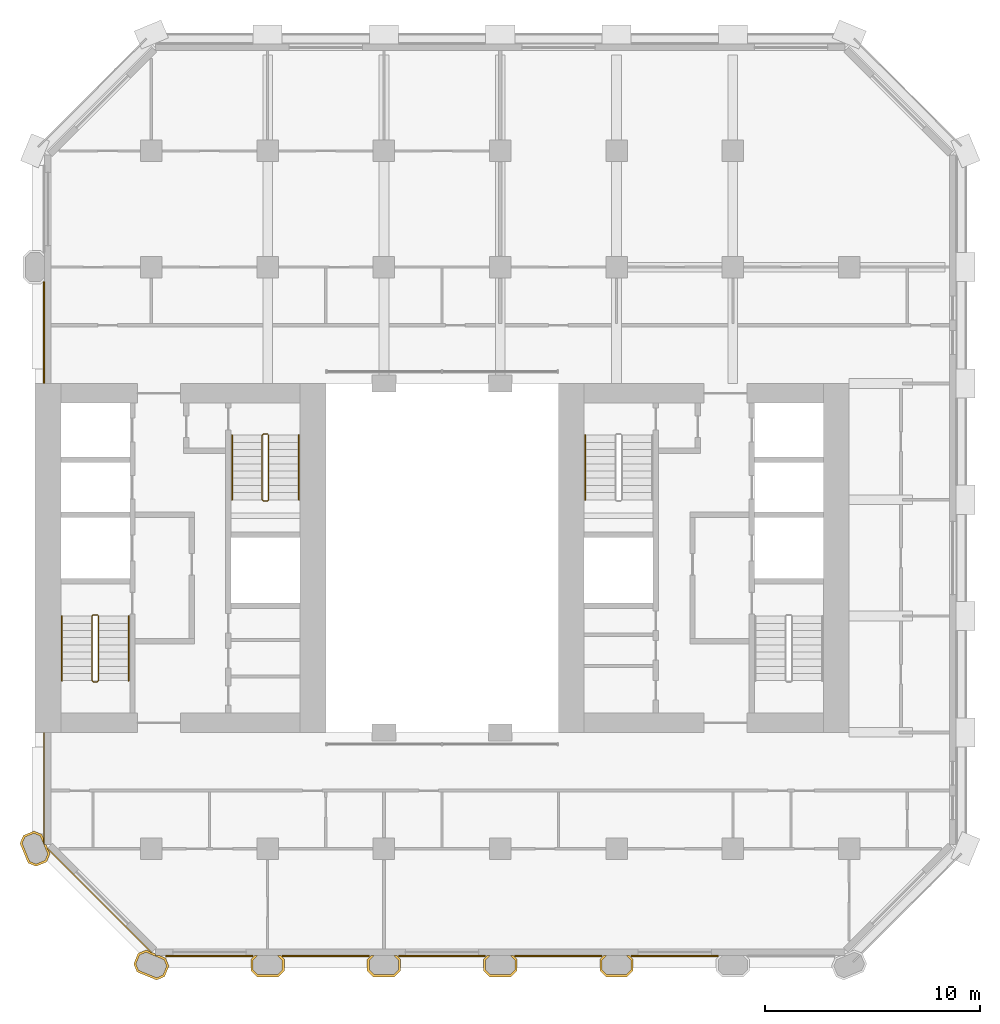
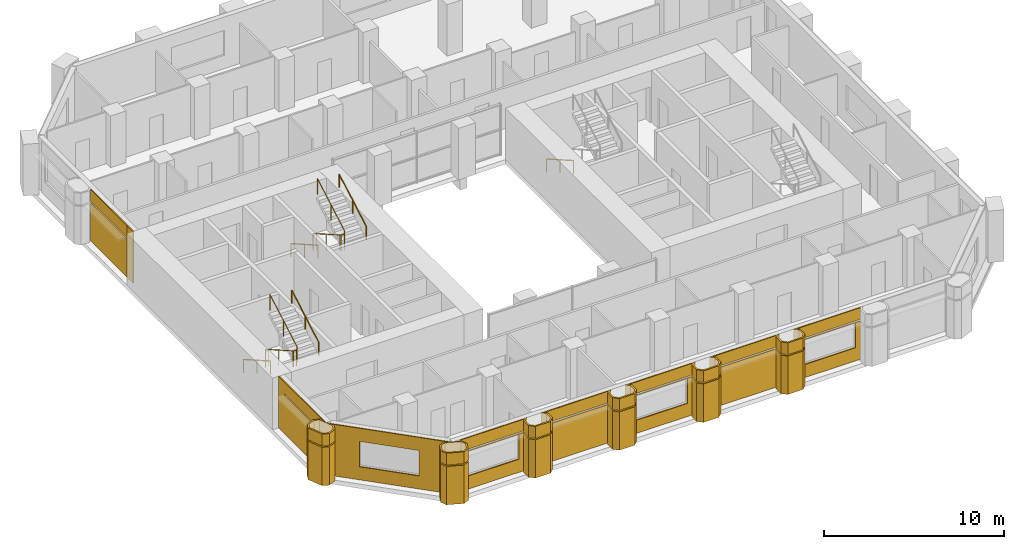
# One storey, part 8 of 10: 27 coverings, 7 railings.
"""IFC4 building model written with IfcOpenShell, lengths in metres."""

from ifc_helpers import new_model, si_unit, direction, frame, frame_2d, origin, origin_2d, place, context, subcontext, project, spatial, polyline, rectangle, circle, outline, extrude, material, layer, layer_set, type_object, element, save


model = new_model("IFC4")

# Units and contexts
model_context = context("Model", 3, precision=1e-05, world=origin(), true_north=direction((0.0, 1.0)))
body_context = subcontext(model_context, "Body", "Model", "MODEL_VIEW")
ifc_project = project(units=[si_unit("LENGTHUNIT", "METRE"), si_unit("AREAUNIT", "SQUARE_METRE"), si_unit("VOLUMEUNIT", "CUBIC_METRE"), si_unit("PLANEANGLEUNIT", "RADIAN"), si_unit("MASSUNIT", "GRAM", prefix="KILO")], contexts=[model_context])

# Site, building, storey
site_placement = place(None, origin())
site = spatial("IfcSite", under=ifc_project, at=site_placement, CompositionType="ELEMENT")
building_placement = place(site_placement, origin())
building = spatial("IfcBuilding", under=site, at=building_placement, Name="Tabaq Tower and Sports Hall", CompositionType="ELEMENT")
storey_placement = place(building_placement, frame((0.0, 0.0, 87.800048828125)))
storey = spatial("IfcBuildingStorey", under=building, at=storey_placement, Name="L20", CompositionType="ELEMENT", Elevation=87.800048828125)

# Coverings
ifc_material_1 = material(Name="Precast concrete C60/75", Category="concrete")
ifc_layer_1 = layer(ifc_material_1, 0.10009765625)
ifc_layer_set_1 = layer_set([ifc_layer_1], Name="Column cladding 100")
covering_type_1 = type_object("IfcCoveringType", Name="Column cladding 100", PredefinedType="CLADDING", material=ifc_layer_set_1)
covering_1_placement = place(storey_placement, origin())
element("IfcCovering", 1, at=covering_1_placement, inside=storey, type_object=covering_type_1, Name="Column cladding L20 PC-2C-O2", PredefinedType="CLADDING", context=body_context, shape_type="SweptSolid", body=[
    extrude(outline(polyline([(5.450439453125, 9.982421875), (5.080078125, 10.1357421875), (4.7041015625, 11.04345703125), (4.857421875, 11.413818359375), (5.349609375, 11.61767578125), (5.7197265625, 11.46435546875), (5.789794921875, 11.295654296875), (5.789794921875, 11.04296875), (5.849609375, 11.04296875), (5.849609375, 10.986083984375), (5.91796875, 10.986083984375), (5.9814453125, 10.83251953125), (5.9501953125, 10.801025390625), (6.026123046875, 10.72509765625), (6.095947265625, 10.556396484375), (5.9423828125, 10.186279296875), (5.450439453125, 9.982421875)]), holes=[polyline([(5.349609375, 11.510009765625), (4.93359375, 11.337646484375), (4.811767578125, 11.04345703125), (5.15625, 10.2119140625), (5.450439453125, 10.08984375), (5.866455078125, 10.26220703125), (5.98828125, 10.556396484375), (5.643798828125, 11.38818359375), (5.349609375, 11.510009765625)])]), origin(), (0.0, 0.0, 1.0), 2.599853515625),
])
covering_2_placement = place(storey_placement, frame((0.0, 0.0, 2.699951171875)))
element("IfcCovering", 2, at=covering_2_placement, inside=storey, type_object=covering_type_1, Name="Column cladding L20 PC-2C-O2 2", PredefinedType="CLADDING", context=body_context, shape_type="SweptSolid", body=[
    extrude(outline(polyline([(5.450439453125, 9.982421875), (5.080078125, 10.1357421875), (4.7041015625, 11.04345703125), (4.857421875, 11.413818359375), (5.349609375, 11.61767578125), (5.7197265625, 11.46435546875), (5.789794921875, 11.295654296875), (5.789794921875, 11.04296875), (5.849609375, 11.04296875), (5.849609375, 10.986083984375), (5.91796875, 10.986083984375), (5.9814453125, 10.83251953125), (5.9501953125, 10.801025390625), (6.026123046875, 10.72509765625), (6.095947265625, 10.556396484375), (5.9423828125, 10.186279296875), (5.450439453125, 9.982421875)]), holes=[polyline([(5.349609375, 11.510009765625), (4.93359375, 11.337646484375), (4.811767578125, 11.04345703125), (5.15625, 10.2119140625), (5.450439453125, 10.08984375), (5.866455078125, 10.26220703125), (5.98828125, 10.556396484375), (5.643798828125, 11.38818359375), (5.349609375, 11.510009765625)])]), origin(), (0.0, 0.0, 1.0), 0.800048828125),
])
covering_3_placement = place(storey_placement, origin())
element("IfcCovering", 3, at=covering_3_placement, inside=storey, type_object=covering_type_1, Name="Column cladding L20 PC-3B-O2", PredefinedType="CLADDING", context=body_context, shape_type="SweptSolid", body=[
    extrude(outline(polyline([(11.413818359375, 4.857421875), (11.04345703125, 4.7041015625), (10.1357421875, 5.080078125), (9.982421875, 5.450439453125), (10.186279296875, 5.9423828125), (10.556396484375, 6.095947265625), (10.72509765625, 6.026123046875), (10.801025390625, 5.9501953125), (10.83251953125, 5.9814453125), (10.986083984375, 5.91796875), (10.986083984375, 5.849609375), (11.15087890625, 5.849609375), (11.46435546875, 5.7197265625), (11.61767578125, 5.349609375), (11.413818359375, 4.857421875)]), holes=[polyline([(10.26220703125, 5.866455078125), (10.08984375, 5.450439453125), (10.2119140625, 5.15625), (11.04345703125, 4.811767578125), (11.337646484375, 4.93359375), (11.510009765625, 5.349609375), (11.38818359375, 5.643798828125), (10.556396484375, 5.98828125), (10.26220703125, 5.866455078125)])]), origin(), (0.0, 0.0, 1.0), 2.599853515625),
])
covering_4_placement = place(storey_placement, frame((0.0, 0.0, 2.699951171875)))
element("IfcCovering", 4, at=covering_4_placement, inside=storey, type_object=covering_type_1, Name="Column cladding L20 PC-3B-O2 2", PredefinedType="CLADDING", context=body_context, shape_type="SweptSolid", body=[
    extrude(outline(polyline([(11.413818359375, 4.857421875), (11.04345703125, 4.7041015625), (10.1357421875, 5.080078125), (9.982421875, 5.450439453125), (10.186279296875, 5.9423828125), (10.556396484375, 6.095947265625), (10.72509765625, 6.026123046875), (10.801025390625, 5.9501953125), (10.83251953125, 5.9814453125), (10.986083984375, 5.91796875), (10.986083984375, 5.849609375), (11.15087890625, 5.849609375), (11.46435546875, 5.7197265625), (11.61767578125, 5.349609375), (11.413818359375, 4.857421875)]), holes=[polyline([(10.26220703125, 5.866455078125), (10.08984375, 5.450439453125), (10.2119140625, 5.15625), (11.04345703125, 4.811767578125), (11.337646484375, 4.93359375), (11.510009765625, 5.349609375), (11.38818359375, 5.643798828125), (10.556396484375, 5.98828125), (10.26220703125, 5.866455078125)])]), origin(), (0.0, 0.0, 1.0), 0.800048828125),
])
covering_5_placement = place(storey_placement, origin())
element("IfcCovering", 5, at=covering_5_placement, inside=storey, type_object=covering_type_1, Name="Column cladding L20 PC-4B-O2", PredefinedType="CLADDING", context=body_context, shape_type="SweptSolid", body=[
    extrude(outline(polyline([(15.42529296875, 5.666259765625), (15.608642578125, 5.849609375), (15.749267578125, 5.849609375), (15.524658203125, 5.625244140625), (15.524658203125, 5.1748046875), (15.749755859375, 4.94970703125), (16.650146484375, 4.94970703125), (16.875244140625, 5.1748046875), (16.875244140625, 5.625244140625), (16.650634765625, 5.849609375), (16.791259765625, 5.849609375), (16.974609375, 5.666259765625), (16.974609375, 5.1337890625), (16.69140625, 4.850341796875), (15.708740234375, 4.850341796875), (15.42529296875, 5.1337890625), (15.42529296875, 5.666259765625)])), origin(), (0.0, 0.0, 1.0), 2.599853515625),
])
covering_6_placement = place(storey_placement, frame((0.0, 0.0, 2.699951171875)))
element("IfcCovering", 6, at=covering_6_placement, inside=storey, type_object=covering_type_1, Name="Column cladding L20 PC-4B-O2 2", PredefinedType="CLADDING", context=body_context, shape_type="SweptSolid", body=[
    extrude(outline(polyline([(15.42529296875, 5.666259765625), (15.608642578125, 5.849609375), (15.749267578125, 5.849609375), (15.524658203125, 5.625244140625), (15.524658203125, 5.1748046875), (15.749755859375, 4.94970703125), (16.650146484375, 4.94970703125), (16.875244140625, 5.1748046875), (16.875244140625, 5.625244140625), (16.650634765625, 5.849609375), (16.791259765625, 5.849609375), (16.974609375, 5.666259765625), (16.974609375, 5.1337890625), (16.69140625, 4.850341796875), (15.708740234375, 4.850341796875), (15.42529296875, 5.1337890625), (15.42529296875, 5.666259765625)])), origin(), (0.0, 0.0, 1.0), 0.800048828125),
])
covering_7_placement = place(storey_placement, origin())
element("IfcCovering", 7, at=covering_7_placement, inside=storey, type_object=covering_type_1, Name="Column cladding L20 PC-5B-O2", PredefinedType="CLADDING", context=body_context, shape_type="SweptSolid", body=[
    extrude(outline(polyline([(20.8251953125, 5.666259765625), (21.0087890625, 5.849609375), (21.149169921875, 5.849609375), (20.9248046875, 5.625244140625), (20.9248046875, 5.1748046875), (21.14990234375, 4.94970703125), (22.050048828125, 4.94970703125), (22.275390625, 5.1748046875), (22.275390625, 5.625244140625), (22.05078125, 5.849609375), (22.19140625, 5.849609375), (22.374755859375, 5.666259765625), (22.374755859375, 5.1337890625), (22.09130859375, 4.850341796875), (21.108642578125, 4.850341796875), (20.8251953125, 5.1337890625), (20.8251953125, 5.666259765625)])), origin(), (0.0, 0.0, 1.0), 2.599853515625),
])
covering_8_placement = place(storey_placement, frame((0.0, 0.0, 2.699951171875)))
element("IfcCovering", 8, at=covering_8_placement, inside=storey, type_object=covering_type_1, Name="Column cladding L20 PC-5B-O2 2", PredefinedType="CLADDING", context=body_context, shape_type="SweptSolid", body=[
    extrude(outline(polyline([(20.8251953125, 5.666259765625), (21.0087890625, 5.849609375), (21.149169921875, 5.849609375), (20.9248046875, 5.625244140625), (20.9248046875, 5.1748046875), (21.14990234375, 4.94970703125), (22.050048828125, 4.94970703125), (22.275390625, 5.1748046875), (22.275390625, 5.625244140625), (22.05078125, 5.849609375), (22.19140625, 5.849609375), (22.374755859375, 5.666259765625), (22.374755859375, 5.1337890625), (22.09130859375, 4.850341796875), (21.108642578125, 4.850341796875), (20.8251953125, 5.1337890625), (20.8251953125, 5.666259765625)])), origin(), (0.0, 0.0, 1.0), 0.800048828125),
])
covering_9_placement = place(storey_placement, origin())
element("IfcCovering", 9, at=covering_9_placement, inside=storey, type_object=covering_type_1, Name="Column cladding L20 PC-6B-O2", PredefinedType="CLADDING", context=body_context, shape_type="SweptSolid", body=[
    extrude(outline(polyline([(26.225341796875, 5.666259765625), (26.40869140625, 5.849609375), (26.54931640625, 5.849609375), (26.32470703125, 5.625244140625), (26.32470703125, 5.1748046875), (26.5498046875, 4.94970703125), (27.4501953125, 4.94970703125), (27.67529296875, 5.1748046875), (27.67529296875, 5.625244140625), (27.45068359375, 5.849609375), (27.59130859375, 5.849609375), (27.774658203125, 5.666259765625), (27.774658203125, 5.1337890625), (27.4912109375, 4.850341796875), (26.5087890625, 4.850341796875), (26.225341796875, 5.1337890625), (26.225341796875, 5.666259765625)])), origin(), (0.0, 0.0, 1.0), 2.599853515625),
])
covering_10_placement = place(storey_placement, frame((0.0, 0.0, 2.699951171875)))
element("IfcCovering", 10, at=covering_10_placement, inside=storey, type_object=covering_type_1, Name="Column cladding L20 PC-6B-O2 2", PredefinedType="CLADDING", context=body_context, shape_type="SweptSolid", body=[
    extrude(outline(polyline([(26.225341796875, 5.666259765625), (26.40869140625, 5.849609375), (26.54931640625, 5.849609375), (26.32470703125, 5.625244140625), (26.32470703125, 5.1748046875), (26.5498046875, 4.94970703125), (27.4501953125, 4.94970703125), (27.67529296875, 5.1748046875), (27.67529296875, 5.625244140625), (27.45068359375, 5.849609375), (27.59130859375, 5.849609375), (27.774658203125, 5.666259765625), (27.774658203125, 5.1337890625), (27.4912109375, 4.850341796875), (26.5087890625, 4.850341796875), (26.225341796875, 5.1337890625), (26.225341796875, 5.666259765625)])), origin(), (0.0, 0.0, 1.0), 0.800048828125),
])
covering_11_placement = place(storey_placement, origin())
element("IfcCovering", 11, at=covering_11_placement, inside=storey, type_object=covering_type_1, Name="Column cladding L20 PC-7B-O2", PredefinedType="CLADDING", context=body_context, shape_type="SweptSolid", body=[
    extrude(outline(polyline([(31.625244140625, 5.666259765625), (31.80859375, 5.849609375), (31.94921875, 5.849609375), (31.724609375, 5.625244140625), (31.724609375, 5.1748046875), (31.949951171875, 4.94970703125), (32.85009765625, 4.94970703125), (33.0751953125, 5.1748046875), (33.0751953125, 5.625244140625), (32.850830078125, 5.849609375), (32.9912109375, 5.849609375), (33.1748046875, 5.666259765625), (33.1748046875, 5.1337890625), (32.891357421875, 4.850341796875), (31.90869140625, 4.850341796875), (31.625244140625, 5.1337890625), (31.625244140625, 5.666259765625)])), origin(), (0.0, 0.0, 1.0), 2.599853515625),
])
covering_12_placement = place(storey_placement, frame((0.0, 0.0, 2.699951171875)))
element("IfcCovering", 12, at=covering_12_placement, inside=storey, type_object=covering_type_1, Name="Column cladding L20 PC-7B-O2 2", PredefinedType="CLADDING", context=body_context, shape_type="SweptSolid", body=[
    extrude(outline(polyline([(31.625244140625, 5.666259765625), (31.80859375, 5.849609375), (31.94921875, 5.849609375), (31.724609375, 5.625244140625), (31.724609375, 5.1748046875), (31.949951171875, 4.94970703125), (32.85009765625, 4.94970703125), (33.0751953125, 5.1748046875), (33.0751953125, 5.625244140625), (32.850830078125, 5.849609375), (32.9912109375, 5.849609375), (33.1748046875, 5.666259765625), (33.1748046875, 5.1337890625), (32.891357421875, 4.850341796875), (31.90869140625, 4.850341796875), (31.625244140625, 5.1337890625), (31.625244140625, 5.666259765625)])), origin(), (0.0, 0.0, 1.0), 0.800048828125),
])

# Railings
ifc_material_2 = material(Name="Stainless steel", Category="steel")
railing_type_1 = type_object("IfcRailingType", Name="Stair guard", PredefinedType="GUARDRAIL", material=ifc_material_2)
railing_1_placement = place(storey_placement, frame((8.300048828125, 21.64990234375, 0.0)))
element("IfcRailing", 13, at=railing_1_placement, inside=storey, type_object=railing_type_1, Name="L20 ST1 stair guard 1", PredefinedType="GUARDRAIL", context=body_context, shape_type="SweptSolid", body=[
    extrude(circle(Radius=0.02392578125, at=origin_2d()), frame((0.0, 0.0, 1.076171875), z_axis=(-1.0, 0.0, 0.0), x_axis=(0.0, -1.0, 0.0)), (0.0, 0.0, 1.0), 0.199951171875),
    extrude(circle(Radius=0.02392578125, at=origin_2d()), frame((-0.199951171875, 0.0, 1.076171875), z_axis=(-0.246983470365, -0.245778672949, 0.937332389972), x_axis=(0.705375805398, -0.708833529934, 0.0)), (0.0, 0.0, 1.0), 0.20263671875),
    extrude(circle(Radius=0.02392578125, at=origin_2d()), frame((-0.25, -0.0498046875, 1.26611328125), z_axis=(0.0, -0.868782136927, 0.495194505781), x_axis=(1.0, 0.0, 0.0)), (0.0, 0.0, 1.0), 3.453125),
    extrude(circle(Radius=0.02392578125, at=origin_2d()), frame((-0.25, -3.0498046875, 2.97607421875), z_axis=(0.707106781187, -0.707106781187, 0.0), x_axis=(0.707106781187, 0.707106781187, 0.0)), (0.0, 0.0, 1.0), 0.07080078125),
    extrude(circle(Radius=0.02392578125, at=origin_2d()), frame((-0.199951171875, -3.099853515625, 2.97607421875), z_axis=(1.0, 0.0, 0.0), x_axis=(0.0, 1.0, 0.0)), (0.0, 0.0, 1.0), 0.199951171875),
    extrude(circle(Radius=0.02392578125, at=origin_2d()), frame((0.0, -3.099853515625, 2.97607421875), z_axis=(0.246910188598, 0.246910188598, 0.937054276727), x_axis=(-0.707106781187, 0.707106781187, 0.0)), (0.0, 0.0, 1.0), 0.20263671875),
    extrude(circle(Radius=0.02392578125, at=origin_2d()), frame((0.050048828125, -3.0498046875, 3.166015625), z_axis=(0.0, 0.868751719353, 0.495247867356), x_axis=(-1.0, 0.0, 0.0)), (0.0, 0.0, 1.0), 3.453125),
    extrude(circle(Radius=0.02099609375, at=origin_2d()), origin(), (0.0, 0.0, 1.0), 1.052001953125),
    extrude(circle(Radius=0.02099609375, at=origin_2d()), frame((-0.199951171875, 0.0, 0.0)), (0.0, 0.0, 1.0), 1.052001953125),
    extrude(circle(Radius=0.02099609375, at=origin_2d()), frame((-0.25, -0.0498046875, 0.18994140625)), (0.0, 0.0, 1.0), 1.052001953125),
    extrude(circle(Radius=0.02099609375, at=origin_2d()), frame((-0.25, -1.5498046875, 1.044921875)), (0.0, 0.0, 1.0), 1.052001953125),
    extrude(circle(Radius=0.02099609375, at=origin_2d()), frame((-0.25, -3.0498046875, 1.89990234375)), (0.0, 0.0, 1.0), 1.052001953125),
    extrude(circle(Radius=0.02099609375, at=origin_2d()), frame((-0.199951171875, -3.099853515625, 1.89990234375)), (0.0, 0.0, 1.0), 1.052001953125),
    extrude(circle(Radius=0.02099609375, at=origin_2d()), frame((0.0, -3.099853515625, 1.89990234375)), (0.0, 0.0, 1.0), 1.052001953125),
    extrude(circle(Radius=0.02099609375, at=origin_2d()), frame((0.050048828125, -3.0498046875, 2.08984375)), (0.0, 0.0, 1.0), 1.052001953125),
    extrude(circle(Radius=0.02099609375, at=origin_2d()), frame((0.050048828125, -1.5498046875, 2.94482421875)), (0.0, 0.0, 1.0), 1.052001953125),
    extrude(circle(Radius=0.02099609375, at=origin_2d()), frame((0.050048828125, -0.0498046875, 3.800048828125)), (0.0, 0.0, 1.0), 1.052001953125),
])
railing_2_placement = place(storey_placement, frame((16.199951171875, 30.050048828125, 0.0)))
element("IfcRailing", 14, at=railing_2_placement, inside=storey, type_object=railing_type_1, Name="L20 ST2 stair guard 1", PredefinedType="GUARDRAIL", context=body_context, shape_type="SweptSolid", body=[
    extrude(circle(Radius=0.02392578125, at=origin_2d()), frame((0.0, 0.0, 1.076171875), z_axis=(-1.0, 0.0, 0.0), x_axis=(0.0, -1.0, 0.0)), (0.0, 0.0, 1.0), 0.199951171875),
    extrude(circle(Radius=0.02392578125, at=origin_2d()), frame((-0.199951171875, 0.0, 1.076171875), z_axis=(-0.246910188598, -0.246910188598, 0.937054276727), x_axis=(0.707106781187, -0.707106781187, 0.0)), (0.0, 0.0, 1.0), 0.20263671875),
    extrude(circle(Radius=0.02392578125, at=origin_2d()), frame((-0.25, -0.050048828125, 1.26611328125), z_axis=(0.0, -0.868782136927, 0.495194505781), x_axis=(1.0, 0.0, 0.0)), (0.0, 0.0, 1.0), 3.453125),
    extrude(circle(Radius=0.02392578125, at=origin_2d()), frame((-0.25, -3.050048828125, 2.97607421875), z_axis=(0.707106781187, -0.707106781187, 0.0), x_axis=(0.707106781187, 0.707106781187, 0.0)), (0.0, 0.0, 1.0), 0.07080078125),
    extrude(circle(Radius=0.02392578125, at=origin_2d()), frame((-0.199951171875, -3.10009765625, 2.97607421875), z_axis=(1.0, 0.0, 0.0), x_axis=(0.0, 1.0, 0.0)), (0.0, 0.0, 1.0), 0.199951171875),
    extrude(circle(Radius=0.02392578125, at=origin_2d()), frame((0.0, -3.10009765625, 2.97607421875), z_axis=(0.246910188598, 0.246910188598, 0.937054276727), x_axis=(-0.707106781187, 0.707106781187, 0.0)), (0.0, 0.0, 1.0), 0.20263671875),
    extrude(circle(Radius=0.02392578125, at=origin_2d()), frame((0.050048828125, -3.050048828125, 3.166015625), z_axis=(0.0, 0.868751719353, 0.495247867356), x_axis=(-1.0, 0.0, 0.0)), (0.0, 0.0, 1.0), 3.453125),
    extrude(circle(Radius=0.02099609375, at=origin_2d()), origin(), (0.0, 0.0, 1.0), 1.052001953125),
    extrude(circle(Radius=0.02099609375, at=origin_2d()), frame((-0.199951171875, 0.0, 0.0)), (0.0, 0.0, 1.0), 1.052001953125),
    extrude(circle(Radius=0.02099609375, at=origin_2d()), frame((-0.25, -0.050048828125, 0.18994140625)), (0.0, 0.0, 1.0), 1.052001953125),
    extrude(circle(Radius=0.02099609375, at=origin_2d()), frame((-0.25, -1.550048828125, 1.044921875)), (0.0, 0.0, 1.0), 1.052001953125),
    extrude(circle(Radius=0.02099609375, at=origin_2d()), frame((-0.25, -3.050048828125, 1.89990234375)), (0.0, 0.0, 1.0), 1.052001953125),
    extrude(circle(Radius=0.02099609375, at=origin_2d()), frame((-0.199951171875, -3.10009765625, 1.89990234375)), (0.0, 0.0, 1.0), 1.052001953125),
    extrude(circle(Radius=0.02099609375, at=origin_2d()), frame((0.0, -3.10009765625, 1.89990234375)), (0.0, 0.0, 1.0), 1.052001953125),
    extrude(circle(Radius=0.02099609375, at=origin_2d()), frame((0.050048828125, -3.050048828125, 2.08984375)), (0.0, 0.0, 1.0), 1.052001953125),
    extrude(circle(Radius=0.02099609375, at=origin_2d()), frame((0.050048828125, -1.550048828125, 2.94482421875)), (0.0, 0.0, 1.0), 1.052001953125),
    extrude(circle(Radius=0.02099609375, at=origin_2d()), frame((0.050048828125, -0.050048828125, 3.800048828125)), (0.0, 0.0, 1.0), 1.052001953125),
])
ifc_material_3 = material(Name="Stainless steel", Category="steel")
railing_type_2 = type_object("IfcRailingType", Name="Stair handrail", PredefinedType="HANDRAIL", material=ifc_material_3)
railing_3_placement = place(storey_placement, frame((6.64990234375, 21.60009765625, 0.18994140625)))
element("IfcRailing", 15, at=railing_3_placement, inside=storey, type_object=railing_type_2, Name="L20 ST1 stair handrail 1", PredefinedType="HANDRAIL", context=body_context, shape_type="SweptSolid", body=[
    extrude(circle(Radius=0.02392578125, at=origin_2d()), frame((0.0, 0.0, 0.8759765625), z_axis=(0.0, -0.868782136927, 0.495194505781), x_axis=(1.0, 0.0, 0.0)), (0.0, 0.0, 1.0), 3.453125),
    extrude(circle(Radius=0.02099609375, at=origin_2d()), origin(), (0.0, 0.0, 1.0), 0.851806640625),
    extrude(circle(Radius=0.02099609375, at=origin_2d()), frame((0.0, -1.5, 0.85498046875)), (0.0, 0.0, 1.0), 0.851806640625),
    extrude(circle(Radius=0.02099609375, at=origin_2d()), frame((0.0, -3.0, 1.7099609375)), (0.0, 0.0, 1.0), 0.851806640625),
])
railing_4_placement = place(storey_placement, frame((9.75, 18.60009765625, 2.08984375)))
element("IfcRailing", 16, at=railing_4_placement, inside=storey, type_object=railing_type_2, Name="L20 ST1 stair handrail 2", PredefinedType="HANDRAIL", context=body_context, shape_type="SweptSolid", body=[
    extrude(circle(Radius=0.02392578125, at=origin_2d()), frame((0.0, 0.0, 0.8759765625), z_axis=(0.0, 0.868751719353, 0.495247867356), x_axis=(-1.0, 0.0, 0.0)), (0.0, 0.0, 1.0), 3.453125),
    extrude(circle(Radius=0.02099609375, at=origin_2d()), origin(), (0.0, 0.0, 1.0), 0.851806640625),
    extrude(circle(Radius=0.02099609375, at=origin_2d()), frame((0.0, 1.5, 0.85498046875)), (0.0, 0.0, 1.0), 0.851806640625),
    extrude(circle(Radius=0.02099609375, at=origin_2d()), frame((0.0, 3.0, 1.710205078125)), (0.0, 0.0, 1.0), 0.851806640625),
])
railing_5_placement = place(storey_placement, frame((14.550048828125, 30.0, 0.18994140625)))
element("IfcRailing", 17, at=railing_5_placement, inside=storey, type_object=railing_type_2, Name="L20 ST2 stair handrail 1", PredefinedType="HANDRAIL", context=body_context, shape_type="SweptSolid", body=[
    extrude(circle(Radius=0.02392578125, at=origin_2d()), frame((0.0, 0.0, 0.8759765625), z_axis=(0.0, -0.868782136927, 0.495194505781), x_axis=(1.0, 0.0, 0.0)), (0.0, 0.0, 1.0), 3.453125),
    extrude(circle(Radius=0.02099609375, at=origin_2d()), origin(), (0.0, 0.0, 1.0), 0.851806640625),
    extrude(circle(Radius=0.02099609375, at=origin_2d()), frame((0.0, -1.5, 0.85498046875)), (0.0, 0.0, 1.0), 0.851806640625),
    extrude(circle(Radius=0.02099609375, at=origin_2d()), frame((0.0, -3.0, 1.7099609375)), (0.0, 0.0, 1.0), 0.851806640625),
])
railing_6_placement = place(storey_placement, frame((17.64990234375, 27.0, 2.08984375)))
element("IfcRailing", 18, at=railing_6_placement, inside=storey, type_object=railing_type_2, Name="L20 ST2 stair handrail 2", PredefinedType="HANDRAIL", context=body_context, shape_type="SweptSolid", body=[
    extrude(circle(Radius=0.02392578125, at=origin_2d()), frame((0.0, 0.0, 0.8759765625), z_axis=(0.0, 0.868751719353, 0.495247867356), x_axis=(-1.0, 0.0, 0.0)), (0.0, 0.0, 1.0), 3.453125),
    extrude(circle(Radius=0.02099609375, at=origin_2d()), origin(), (0.0, 0.0, 1.0), 0.851806640625),
    extrude(circle(Radius=0.02099609375, at=origin_2d()), frame((0.0, 1.5, 0.85498046875)), (0.0, 0.0, 1.0), 0.851806640625),
    extrude(circle(Radius=0.02099609375, at=origin_2d()), frame((0.0, 3.0, 1.710205078125)), (0.0, 0.0, 1.0), 0.851806640625),
])
railing_7_placement = place(storey_placement, frame((30.949951171875, 30.0, 0.18994140625)))
element("IfcRailing", 19, at=railing_7_placement, inside=storey, type_object=railing_type_2, Name="L20 ST4 stair handrail 1", PredefinedType="HANDRAIL", context=body_context, shape_type="SweptSolid", body=[
    extrude(circle(Radius=0.02392578125, at=origin_2d()), frame((0.0, 0.0, 0.8759765625), z_axis=(0.0, -0.868782136927, 0.495194505781), x_axis=(1.0, 0.0, 0.0)), (0.0, 0.0, 1.0), 3.453125),
    extrude(circle(Radius=0.02099609375, at=origin_2d()), origin(), (0.0, 0.0, 1.0), 0.851806640625),
    extrude(circle(Radius=0.02099609375, at=origin_2d()), frame((0.0, -1.5, 0.85498046875)), (0.0, 0.0, 1.0), 0.851806640625),
    extrude(circle(Radius=0.02099609375, at=origin_2d()), frame((0.0, -3.0, 1.7099609375)), (0.0, 0.0, 1.0), 0.851806640625),
])

# Coverings
ifc_material_4 = material(Name="Precast concrete C60/75", Category="concrete")
ifc_layer_2 = layer(ifc_material_4, 0.06005859375)
ifc_layer_set_2 = layer_set([ifc_layer_2], Name="White precast cladding panel 60 C60/75")
covering_type_2 = type_object("IfcCoveringType", Name="White precast cladding panel 60 C60/75", PredefinedType="CLADDING", material=ifc_layer_set_2)
covering_13_placement = place(storey_placement, frame((11.465087890625, 5.820068359375, 0.0), z_axis=(0.0, 0.0, 1.0), x_axis=(1.0, 0.0, 0.0)))
element("IfcCovering", 20, at=covering_13_placement, inside=storey, type_object=covering_type_2, Name="White precast cladding panel L20 wall00", PredefinedType="CLADDING", context=body_context, shape_type="SweptSolid", body=[
    extrude(outline(polyline([(0.0, 0.0), (4.0498046875, 0.0), (4.0498046875, 2.58984375), (0.0, 2.58984375), (0.0, 0.0)]), holes=[polyline([(3.7451171875, 0.889892578125), (0.324951171875, 0.889892578125), (0.324951171875, 2.56005859375), (3.7451171875, 2.56005859375), (3.7451171875, 0.889892578125)])]), frame((0.0, 0.030029296875, 0.0), z_axis=(0.0, -1.0, 0.0), x_axis=(1.0, 0.0, 0.0)), (0.0, 0.0, 1.0), 0.06005859375),
])
covering_14_placement = place(storey_placement, frame((11.465087890625, 5.820068359375, 2.7099609375), z_axis=(0.0, 0.0, 1.0), x_axis=(1.0, 0.0, 0.0)))
element("IfcCovering", 21, at=covering_14_placement, inside=storey, type_object=covering_type_2, Name="White precast cladding panel L20 wall00 2", PredefinedType="CLADDING", context=body_context, shape_type="SweptSolid", body=[
    extrude(rectangle(XDim=4.0498046875, YDim=0.06005859375, at=frame_2d((2.02490234375, 0.0))), origin(), (0.0, 0.0, 1.0), 0.7900390625),
])
covering_15_placement = place(storey_placement, frame((16.885009765625, 5.820068359375, 0.0), z_axis=(0.0, 0.0, 1.0), x_axis=(1.0, 0.0, 0.0)))
element("IfcCovering", 22, at=covering_15_placement, inside=storey, type_object=covering_type_2, Name="White precast cladding panel L20 wall00 3", PredefinedType="CLADDING", context=body_context, shape_type="SweptSolid", body=[
    extrude(rectangle(XDim=4.030029296875, YDim=0.06005859375, at=frame_2d((2.01513671875, 0.0))), origin(), (0.0, 0.0, 1.0), 2.58984375),
])
covering_16_placement = place(storey_placement, frame((16.885009765625, 5.820068359375, 2.7099609375), z_axis=(0.0, 0.0, 1.0), x_axis=(1.0, 0.0, 0.0)))
element("IfcCovering", 23, at=covering_16_placement, inside=storey, type_object=covering_type_2, Name="White precast cladding panel L20 wall00 4", PredefinedType="CLADDING", context=body_context, shape_type="SweptSolid", body=[
    extrude(rectangle(XDim=4.030029296875, YDim=0.06005859375, at=frame_2d((2.01513671875, 0.0))), origin(), (0.0, 0.0, 1.0), 0.7900390625),
])
covering_17_placement = place(storey_placement, frame((22.284912109375, 5.820068359375, 0.0), z_axis=(0.0, 0.0, 1.0), x_axis=(1.0, 0.0, 0.0)))
element("IfcCovering", 24, at=covering_17_placement, inside=storey, type_object=covering_type_2, Name="White precast cladding panel L20 wall00 5", PredefinedType="CLADDING", context=body_context, shape_type="SweptSolid", body=[
    extrude(outline(polyline([(0.0, 0.0), (4.030029296875, 0.0), (4.030029296875, 2.58984375), (0.0, 2.58984375), (0.0, 0.0)]), holes=[polyline([(3.72509765625, 0.889892578125), (0.304931640625, 0.889892578125), (0.304931640625, 2.56005859375), (3.72509765625, 2.56005859375), (3.72509765625, 0.889892578125)])]), frame((0.0, 0.030029296875, 0.0), z_axis=(0.0, -1.0, 0.0), x_axis=(1.0, 0.0, 0.0)), (0.0, 0.0, 1.0), 0.06005859375),
])
covering_18_placement = place(storey_placement, frame((22.284912109375, 5.820068359375, 2.7099609375), z_axis=(0.0, 0.0, 1.0), x_axis=(1.0, 0.0, 0.0)))
element("IfcCovering", 25, at=covering_18_placement, inside=storey, type_object=covering_type_2, Name="White precast cladding panel L20 wall00 6", PredefinedType="CLADDING", context=body_context, shape_type="SweptSolid", body=[
    extrude(rectangle(XDim=4.030029296875, YDim=0.06005859375, at=frame_2d((2.01513671875, 0.0))), origin(), (0.0, 0.0, 1.0), 0.7900390625),
])
covering_19_placement = place(storey_placement, frame((27.68505859375, 5.820068359375, 0.0), z_axis=(0.0, 0.0, 1.0), x_axis=(1.0, 0.0, 0.0)))
element("IfcCovering", 26, at=covering_19_placement, inside=storey, type_object=covering_type_2, Name="White precast cladding panel L20 wall00 7", PredefinedType="CLADDING", context=body_context, shape_type="SweptSolid", body=[
    extrude(rectangle(XDim=4.030029296875, YDim=0.06005859375, at=frame_2d((2.01513671875, 0.0))), origin(), (0.0, 0.0, 1.0), 2.58984375),
])
covering_20_placement = place(storey_placement, frame((27.68505859375, 5.820068359375, 2.7099609375), z_axis=(0.0, 0.0, 1.0), x_axis=(1.0, 0.0, 0.0)))
element("IfcCovering", 27, at=covering_20_placement, inside=storey, type_object=covering_type_2, Name="White precast cladding panel L20 wall00 8", PredefinedType="CLADDING", context=body_context, shape_type="SweptSolid", body=[
    extrude(rectangle(XDim=4.030029296875, YDim=0.06005859375, at=frame_2d((2.01513671875, 0.0))), origin(), (0.0, 0.0, 1.0), 0.7900390625),
])
covering_21_placement = place(storey_placement, frame((33.0849609375, 5.820068359375, 0.0), z_axis=(0.0, 0.0, 1.0), x_axis=(1.0, 0.0, 0.0)))
element("IfcCovering", 28, at=covering_21_placement, inside=storey, type_object=covering_type_2, Name="White precast cladding panel L20 wall00 9", PredefinedType="CLADDING", context=body_context, shape_type="SweptSolid", body=[
    extrude(outline(polyline([(0.0, 0.0), (4.030029296875, 0.0), (4.030029296875, 2.58984375), (0.0, 2.58984375), (0.0, 0.0)]), holes=[polyline([(3.72509765625, 0.889892578125), (0.304931640625, 0.889892578125), (0.304931640625, 2.56005859375), (3.72509765625, 2.56005859375), (3.72509765625, 0.889892578125)])]), frame((0.0, 0.030029296875, 0.0), z_axis=(0.0, -1.0, 0.0), x_axis=(1.0, 0.0, 0.0)), (0.0, 0.0, 1.0), 0.06005859375),
])
covering_22_placement = place(storey_placement, frame((33.0849609375, 5.820068359375, 2.7099609375), z_axis=(0.0, 0.0, 1.0), x_axis=(1.0, 0.0, 0.0)))
element("IfcCovering", 29, at=covering_22_placement, inside=storey, type_object=covering_type_2, Name="White precast cladding panel L20 wall00 10", PredefinedType="CLADDING", context=body_context, shape_type="SweptSolid", body=[
    extrude(rectangle(XDim=4.030029296875, YDim=0.06005859375, at=frame_2d((2.01513671875, 0.0))), origin(), (0.0, 0.0, 1.0), 0.7900390625),
])
covering_23_placement = place(storey_placement, frame((5.820068359375, 37.114990234375, 0.0), z_axis=(0.0, 0.0, 1.0), x_axis=(0.0, -1.0, 0.0)))
element("IfcCovering", 30, at=covering_23_placement, inside=storey, type_object=covering_type_2, Name="White precast cladding panel L20 wall06 3", PredefinedType="CLADDING", context=body_context, shape_type="SweptSolid", body=[
    extrude(rectangle(XDim=4.050048828125, YDim=0.06005859375, at=frame_2d((2.02490234375, 0.0))), origin(), (0.0, 0.0, 1.0), 2.58984375),
])
covering_24_placement = place(storey_placement, frame((5.820068359375, 37.114990234375, 2.7099609375), z_axis=(0.0, 0.0, 1.0), x_axis=(0.0, -1.0, 0.0)))
element("IfcCovering", 31, at=covering_24_placement, inside=storey, type_object=covering_type_2, Name="White precast cladding panel L20 wall06 4", PredefinedType="CLADDING", context=body_context, shape_type="SweptSolid", body=[
    extrude(rectangle(XDim=4.050048828125, YDim=0.06005859375, at=frame_2d((2.02490234375, 0.0))), origin(), (0.0, 0.0, 1.0), 0.7900390625),
])
covering_25_placement = place(storey_placement, frame((5.820068359375, 33.06494140625, 0.0), z_axis=(0.0, 0.0, 1.0), x_axis=(0.0, -1.0, 0.0)))
element("IfcCovering", 32, at=covering_25_placement, inside=storey, type_object=covering_type_2, Name="White precast cladding panel L20 wall06 5", PredefinedType="CLADDING", context=body_context, shape_type="SweptSolid", body=[
    extrude(rectangle(XDim=0.6650390625, YDim=0.06005859375, at=frame_2d((0.33251953125, 0.0))), origin(), (0.0, 0.0, 1.0), 3.5),
])
covering_26_placement = place(storey_placement, frame((5.820068359375, 16.199951171875, 0.0), z_axis=(0.0, 0.0, 1.0), x_axis=(0.0, -1.0, 0.0)))
element("IfcCovering", 33, at=covering_26_placement, inside=storey, type_object=covering_type_2, Name="White precast cladding panel L20 wall06-1", PredefinedType="CLADDING", context=body_context, shape_type="SweptSolid", body=[
    extrude(outline(polyline([(0.0, 0.0), (5.15673828125, 0.0), (5.15673828125, 3.5), (0.0, 3.5), (0.0, 0.0)]), holes=[polyline([(0.6650390625, 2.58984375), (0.6650390625, 2.7099609375), (4.735107421875, 2.7099609375), (4.735107421875, 2.58984375), (0.6650390625, 2.58984375)])]), frame((0.0, 0.030029296875, 0.0), z_axis=(0.0, -1.0, 0.0), x_axis=(1.0, 0.0, 0.0)), (0.0, 0.0, 1.0), 0.06005859375),
])
covering_27_placement = place(storey_placement, frame((5.9716796875, 10.822265625, 0.0), z_axis=(0.0, 0.0, 1.0), x_axis=(0.707106781187, -0.707106781187, 0.0)))
element("IfcCovering", 34, at=covering_27_placement, inside=storey, type_object=covering_type_2, Name="White precast cladding panel L20 wall07", PredefinedType="CLADDING", context=body_context, shape_type="SweptSolid", body=[
    extrude(outline(polyline([(0.0, 0.0), (6.85986328125, 0.0), (6.85986328125, 3.5), (0.0, 3.5), (0.0, 0.0)]), holes=[polyline([(1.7197265625, 0.889892578125), (1.7197265625, 2.60986328125), (5.139892578125, 2.60986328125), (5.139892578125, 0.889892578125), (1.7197265625, 0.889892578125)])]), frame((0.0, 0.030029296875, 0.0), z_axis=(0.0, -1.0, 0.0), x_axis=(1.0, 0.0, 0.0)), (0.0, 0.0, 1.0), 0.06005859375),
])

save(model, "model.ifc")
